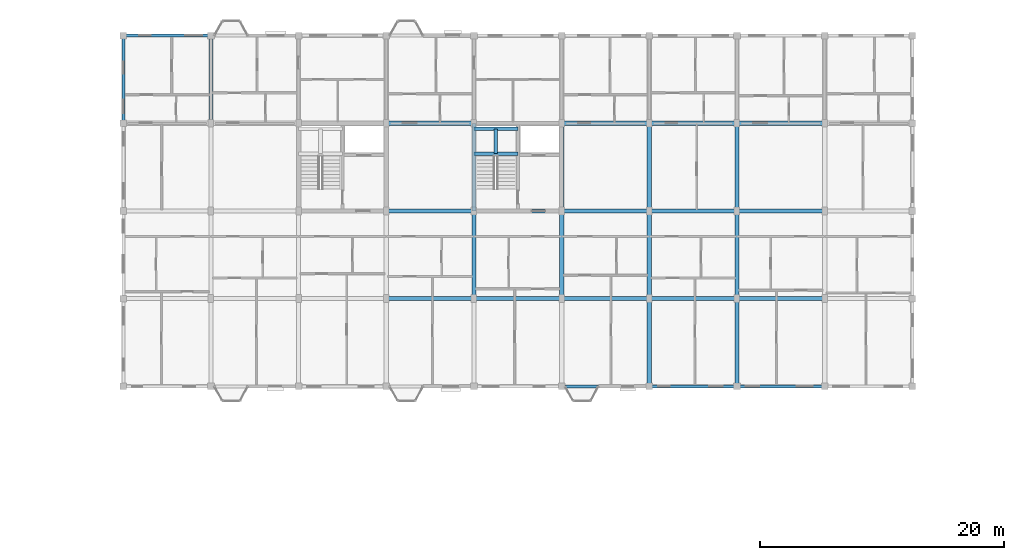
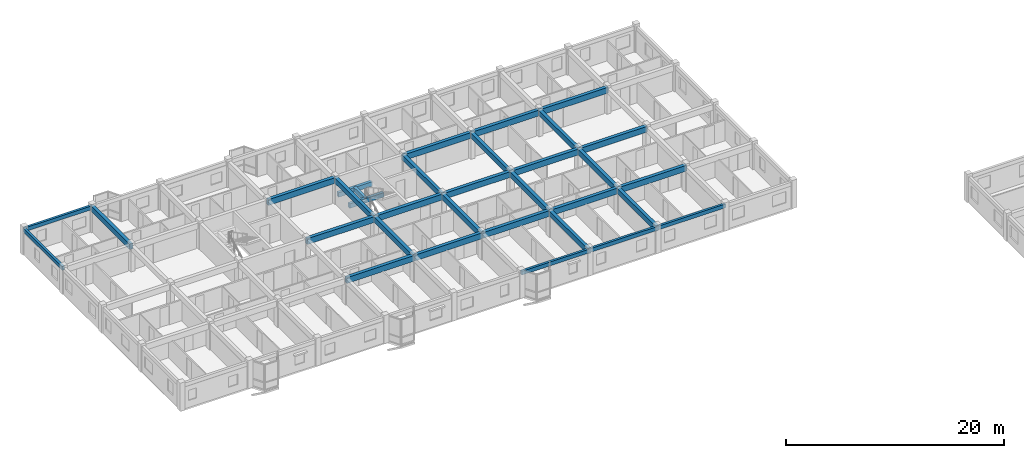
# One storey, part 41 of 77: 33 beams.
"""IFC4 building model written with IfcOpenShell, lengths in metres."""

from ifc_helpers import new_model, si_unit, direction, frame, origin, origin_2d, place, context, subcontext, project, spatial, rectangle, extrude, material, material_profile, profile_set, type_object, element, save


model = new_model("IFC4")

# Units and contexts
model_context = context("Model", 3, precision=1e-05, world=origin(), true_north=direction((0.0, 1.0)))
body_context = subcontext(model_context, "Body", "Model", "MODEL_VIEW")
ifc_project = project(units=[si_unit("LENGTHUNIT", "METRE"), si_unit("AREAUNIT", "SQUARE_METRE"), si_unit("VOLUMEUNIT", "CUBIC_METRE"), si_unit("PLANEANGLEUNIT", "RADIAN"), si_unit("MASSUNIT", "GRAM", prefix="KILO"), si_unit("THERMODYNAMICTEMPERATUREUNIT", "KELVIN"), si_unit("POWERUNIT", "WATT")], contexts=[model_context])

# Site, building, storey
site_placement = place(None, origin())
site = spatial("IfcSite", under=ifc_project, at=site_placement, CompositionType="ELEMENT")
building_placement = place(site_placement, origin())
building = spatial("IfcBuilding", under=site, at=building_placement, Name="Tavuni Mirador Residences", CompositionType="ELEMENT")
storey_placement = place(building_placement, frame((0.0, 0.0, 17.10009765625)))
storey = spatial("IfcBuildingStorey", under=building, at=storey_placement, Name="L05", CompositionType="ELEMENT", Elevation=17.10009765625)

# Beams
ifc_material = material(Name="Precast concrete C40/50", Category="concrete")
ifc_material_profile_1 = material_profile(ifc_material, rectangle(XDim=0.300048828125, YDim=0.5, at=origin_2d()), Name="PC 300x500", Category="concrete")
ifc_profile_set_1 = profile_set([ifc_material_profile_1], Name="Precast concrete C40/50")
beam_type_1 = type_object("IfcBeamType", Name="BT-B500", PredefinedType="BEAM", material=ifc_profile_set_1)
for number, where, z_axis, x_axis, name in (
    (1, (39.60009765625, 163.10009765625, 1.14501953125), (1.0, 0.0, 0.0), (0.0, 1.0, 0.0), "HLB1-C6-L05"),
    (2, (39.60009765625, 165.14990234375, 1.14501953125), (1.0, 0.0, 0.0), (0.0, 1.0, 0.0), "HLB2-C6-L05"),
):
    element("IfcBeam", number, at=place(storey_placement, frame(where, z_axis=z_axis, x_axis=x_axis)), inside=storey, type_object=beam_type_1, Name=name, PredefinedType="BEAM", context=body_context, shape_type="SweptSolid", body=[
        extrude(rectangle(XDim=0.300048828125, YDim=0.5, at=origin_2d()), origin(), (0.0, 0.0, 1.0), 3.599853515625),
    ])
beam_1_placement = place(storey_placement, frame((41.39990234375, 163.10009765625, 1.14501953125), z_axis=(0.0, 1.0, 0.0), x_axis=(-1.0, 0.0, 0.0)))
element("IfcBeam", 3, at=beam_1_placement, inside=storey, type_object=beam_type_1, Name="HLB3-C6-L05", PredefinedType="BEAM", context=body_context, shape_type="SweptSolid", body=[
    extrude(rectangle(XDim=0.300048828125, YDim=0.5, at=origin_2d()), origin(), (0.0, 0.0, 1.0), 2.0498046875),
])
ifc_material_profile_2 = material_profile(ifc_material, rectangle(XDim=0.35009765625, YDim=0.60009765625, at=origin_2d()), Name="PC 350x600", Category="concrete")
ifc_profile_set_2 = profile_set([ifc_material_profile_2], Name="Precast concrete C40/50")
beam_type_2 = type_object("IfcBeamType", Name="BT-B600", PredefinedType="BEAM", material=ifc_profile_set_2)
for number, where, z_axis, x_axis, name in (
    (4, (18.0, 165.60009765625, 2.5849609375), (0.0, 1.0, 0.0), (-1.0, 0.0, 0.0), "BMY-BLK-C-L05-01-03"),
    (5, (39.60009765625, 151.199951171875, 2.5849609375), (0.0, 1.0, 0.0), (-1.0, 0.0, 0.0), "BMY-BLK-C-L05-04-01"),
):
    element("IfcBeam", number, at=place(storey_placement, frame(where, z_axis=z_axis, x_axis=x_axis)), inside=storey, type_object=beam_type_2, Name=name, PredefinedType="BEAM", context=body_context, shape_type="SweptSolid", body=[
        extrude(rectangle(XDim=0.35009765625, YDim=0.60009765625, at=origin_2d()), origin(), (0.0, 0.0, 1.0), 7.199951171875),
    ])
beam_2_placement = place(storey_placement, frame((39.60009765625, 158.39990234375, 2.5849609375), z_axis=(0.0, 1.0, 0.0), x_axis=(-1.0, 0.0, 0.0)))
element("IfcBeam", 6, at=beam_2_placement, inside=storey, type_object=beam_type_2, Name="BMY-BLK-C-L05-04-02", PredefinedType="BEAM", context=body_context, shape_type="SweptSolid", body=[
    extrude(rectangle(XDim=0.35009765625, YDim=0.60009765625, at=origin_2d()), origin(), (0.0, 0.0, 1.0), 7.2001953125),
])
beam_3_placement = place(storey_placement, frame((46.800048828125, 151.199951171875, 2.5849609375), z_axis=(0.0, 1.0, 0.0), x_axis=(-1.0, 0.0, 0.0)))
element("IfcBeam", 7, at=beam_3_placement, inside=storey, type_object=beam_type_2, Name="BMY-BLK-C-L05-05-01", PredefinedType="BEAM", context=body_context, shape_type="SweptSolid", body=[
    extrude(rectangle(XDim=0.35009765625, YDim=0.60009765625, at=origin_2d()), origin(), (0.0, 0.0, 1.0), 7.199951171875),
])
beam_4_placement = place(storey_placement, frame((46.800048828125, 158.39990234375, 2.5849609375), z_axis=(0.0, 1.0, 0.0), x_axis=(-1.0, 0.0, 0.0)))
element("IfcBeam", 8, at=beam_4_placement, inside=storey, type_object=beam_type_2, Name="BMY-BLK-C-L05-05-02", PredefinedType="BEAM", context=body_context, shape_type="SweptSolid", body=[
    extrude(rectangle(XDim=0.35009765625, YDim=0.60009765625, at=origin_2d()), origin(), (0.0, 0.0, 1.0), 7.2001953125),
])
for number, where, z_axis, x_axis, name in (
    (9, (54.0, 144.0, 2.5849609375), (0.0, 1.0, 0.0), (-1.0, 0.0, 0.0), "BMY-BLK-C-L05-06-00"),
    (10, (54.0, 151.199951171875, 2.5849609375), (0.0, 1.0, 0.0), (-1.0, 0.0, 0.0), "BMY-BLK-C-L05-06-01"),
):
    element("IfcBeam", number, at=place(storey_placement, frame(where, z_axis=z_axis, x_axis=x_axis)), inside=storey, type_object=beam_type_2, Name=name, PredefinedType="BEAM", context=body_context, shape_type="SweptSolid", body=[
        extrude(rectangle(XDim=0.35009765625, YDim=0.60009765625, at=origin_2d()), origin(), (0.0, 0.0, 1.0), 7.199951171875),
    ])
beam_5_placement = place(storey_placement, frame((54.0, 158.39990234375, 2.5849609375), z_axis=(0.0, 1.0, 0.0), x_axis=(-1.0, 0.0, 0.0)))
element("IfcBeam", 11, at=beam_5_placement, inside=storey, type_object=beam_type_2, Name="BMY-BLK-C-L05-06-02", PredefinedType="BEAM", context=body_context, shape_type="SweptSolid", body=[
    extrude(rectangle(XDim=0.35009765625, YDim=0.60009765625, at=origin_2d()), origin(), (0.0, 0.0, 1.0), 7.2001953125),
])
for number, where, z_axis, x_axis, name in (
    (12, (61.199951171875, 144.0, 2.5849609375), (0.0, 1.0, 0.0), (-1.0, 0.0, 0.0), "BMY-BLK-C-L05-07-00"),
    (13, (61.199951171875, 151.199951171875, 2.5849609375), (0.0, 1.0, 0.0), (-1.0, 0.0, 0.0), "BMY-BLK-C-L05-07-01"),
):
    element("IfcBeam", number, at=place(storey_placement, frame(where, z_axis=z_axis, x_axis=x_axis)), inside=storey, type_object=beam_type_2, Name=name, PredefinedType="BEAM", context=body_context, shape_type="SweptSolid", body=[
        extrude(rectangle(XDim=0.35009765625, YDim=0.60009765625, at=origin_2d()), origin(), (0.0, 0.0, 1.0), 7.199951171875),
    ])
beam_6_placement = place(storey_placement, frame((61.199951171875, 158.39990234375, 2.5849609375), z_axis=(0.0, 1.0, 0.0), x_axis=(-1.0, 0.0, 0.0)))
element("IfcBeam", 14, at=beam_6_placement, inside=storey, type_object=beam_type_2, Name="BMY-BLK-C-L05-07-02", PredefinedType="BEAM", context=body_context, shape_type="SweptSolid", body=[
    extrude(rectangle(XDim=0.35009765625, YDim=0.60009765625, at=origin_2d()), origin(), (0.0, 0.0, 1.0), 7.2001953125),
])
ifc_material_profile_3 = material_profile(ifc_material, rectangle(XDim=0.35009765625, YDim=0.64990234375, at=origin_2d()), Name="PC 350x650", Category="concrete")
ifc_profile_set_3 = profile_set([ifc_material_profile_3], Name="Precast concrete C40/50")
beam_type_3 = type_object("IfcBeamType", Name="BT-B650", PredefinedType="BEAM", material=ifc_profile_set_3)
beam_7_placement = place(storey_placement, frame((32.39990234375, 151.199951171875, 2.559814453125), z_axis=(1.0, 0.0, 0.0), x_axis=(0.0, 1.0, 0.0)))
element("IfcBeam", 15, at=beam_7_placement, inside=storey, type_object=beam_type_3, Name="BMX-BLK-C-L05-03-01", PredefinedType="BEAM", context=body_context, shape_type="SweptSolid", body=[
    extrude(rectangle(XDim=0.35009765625, YDim=0.64990234375, at=origin_2d()), origin(), (0.0, 0.0, 1.0), 7.2001953125),
])
for number, where, z_axis, x_axis, name in (
    (16, (39.60009765625, 151.199951171875, 2.559814453125), (1.0, 0.0, 0.0), (0.0, 1.0, 0.0), "BMX-BLK-C-L05-04-01"),
    (17, (46.800048828125, 151.199951171875, 2.559814453125), (1.0, 0.0, 0.0), (0.0, 1.0, 0.0), "BMX-BLK-C-L05-05-01"),
    (18, (54.0, 151.199951171875, 2.559814453125), (1.0, 0.0, 0.0), (0.0, 1.0, 0.0), "BMX-BLK-C-L05-06-01"),
    (19, (61.199951171875, 151.199951171875, 2.559814453125), (1.0, 0.0, 0.0), (0.0, 1.0, 0.0), "BMX-BLK-C-L05-07-01"),
):
    element("IfcBeam", number, at=place(storey_placement, frame(where, z_axis=z_axis, x_axis=x_axis)), inside=storey, type_object=beam_type_3, Name=name, PredefinedType="BEAM", context=body_context, shape_type="SweptSolid", body=[
        extrude(rectangle(XDim=0.35009765625, YDim=0.64990234375, at=origin_2d()), origin(), (0.0, 0.0, 1.0), 7.199951171875),
    ])
beam_8_placement = place(storey_placement, frame((32.39990234375, 158.39990234375, 2.559814453125), z_axis=(1.0, 0.0, 0.0), x_axis=(0.0, 1.0, 0.0)))
element("IfcBeam", 20, at=beam_8_placement, inside=storey, type_object=beam_type_3, Name="BMX-BLK-C-L05-03-02", PredefinedType="BEAM", context=body_context, shape_type="SweptSolid", body=[
    extrude(rectangle(XDim=0.35009765625, YDim=0.64990234375, at=origin_2d()), origin(), (0.0, 0.0, 1.0), 7.2001953125),
])
for number, where, z_axis, x_axis, name in (
    (21, (39.60009765625, 158.39990234375, 2.559814453125), (1.0, 0.0, 0.0), (0.0, 1.0, 0.0), "BMX-BLK-C-L05-04-02"),
    (22, (46.800048828125, 158.39990234375, 2.559814453125), (1.0, 0.0, 0.0), (0.0, 1.0, 0.0), "BMX-BLK-C-L05-05-02"),
    (23, (54.0, 158.39990234375, 2.559814453125), (1.0, 0.0, 0.0), (0.0, 1.0, 0.0), "BMX-BLK-C-L05-06-02"),
    (24, (61.199951171875, 158.39990234375, 2.559814453125), (1.0, 0.0, 0.0), (0.0, 1.0, 0.0), "BMX-BLK-C-L05-07-02"),
):
    element("IfcBeam", number, at=place(storey_placement, frame(where, z_axis=z_axis, x_axis=x_axis)), inside=storey, type_object=beam_type_3, Name=name, PredefinedType="BEAM", context=body_context, shape_type="SweptSolid", body=[
        extrude(rectangle(XDim=0.35009765625, YDim=0.64990234375, at=origin_2d()), origin(), (0.0, 0.0, 1.0), 7.199951171875),
    ])
beam_9_placement = place(storey_placement, frame((32.39990234375, 165.60009765625, 2.559814453125), z_axis=(1.0, 0.0, 0.0), x_axis=(0.0, 1.0, 0.0)))
element("IfcBeam", 25, at=beam_9_placement, inside=storey, type_object=beam_type_3, Name="BMX-BLK-C-L05-03-03", PredefinedType="BEAM", context=body_context, shape_type="SweptSolid", body=[
    extrude(rectangle(XDim=0.35009765625, YDim=0.64990234375, at=origin_2d()), origin(), (0.0, 0.0, 1.0), 7.2001953125),
])
for number, where, z_axis, x_axis, name in (
    (26, (46.800048828125, 165.60009765625, 2.559814453125), (1.0, 0.0, 0.0), (0.0, 1.0, 0.0), "BMX-BLK-C-L05-05-03"),
    (27, (54.0, 165.60009765625, 2.559814453125), (1.0, 0.0, 0.0), (0.0, 1.0, 0.0), "BMX-BLK-C-L05-06-03"),
    (28, (61.199951171875, 165.60009765625, 2.559814453125), (1.0, 0.0, 0.0), (0.0, 1.0, 0.0), "BMX-BLK-C-L05-07-03"),
):
    element("IfcBeam", number, at=place(storey_placement, frame(where, z_axis=z_axis, x_axis=x_axis)), inside=storey, type_object=beam_type_3, Name=name, PredefinedType="BEAM", context=body_context, shape_type="SweptSolid", body=[
        extrude(rectangle(XDim=0.35009765625, YDim=0.64990234375, at=origin_2d()), origin(), (0.0, 0.0, 1.0), 7.199951171875),
    ])
ifc_material_profile_4 = material_profile(ifc_material, rectangle(XDim=0.25, YDim=0.419921875, at=origin_2d()), Name="PC 250x420", Category="concrete")
ifc_profile_set_4 = profile_set([ifc_material_profile_4], Name="Precast concrete C40/50")
beam_type_4 = type_object("IfcBeamType", Name="BT-SP420", PredefinedType="SPANDREL", material=ifc_profile_set_4)
for number, where, z_axis, x_axis, name in (
    (29, (46.800048828125, 144.0, 2.6748046875), (1.0, 0.0, 0.0), (0.0, 1.0, 0.0), "BMX-BLK-C-L05-05-00"),
    (30, (54.0, 144.0, 2.6748046875), (1.0, 0.0, 0.0), (0.0, 1.0, 0.0), "BMX-BLK-C-L05-06-00"),
    (31, (61.199951171875, 144.0, 2.6748046875), (1.0, 0.0, 0.0), (0.0, 1.0, 0.0), "BMX-BLK-C-L05-07-00"),
    (32, (10.800048828125, 172.800048828125, 2.6748046875), (1.0, 0.0, 0.0), (0.0, 1.0, 0.0), "BMX-BLK-C-L05-00-04"),
    (33, (10.800048828125, 165.60009765625, 2.6748046875), (0.0, 1.0, 0.0), (-1.0, 0.0, 0.0), "BMY-BLK-C-L05-00-03"),
):
    element("IfcBeam", number, at=place(storey_placement, frame(where, z_axis=z_axis, x_axis=x_axis)), inside=storey, type_object=beam_type_4, Name=name, PredefinedType="SPANDREL", context=body_context, shape_type="SweptSolid", body=[
        extrude(rectangle(XDim=0.25, YDim=0.419921875, at=origin_2d()), origin(), (0.0, 0.0, 1.0), 7.199951171875),
    ])

save(model, "model.ifc")
